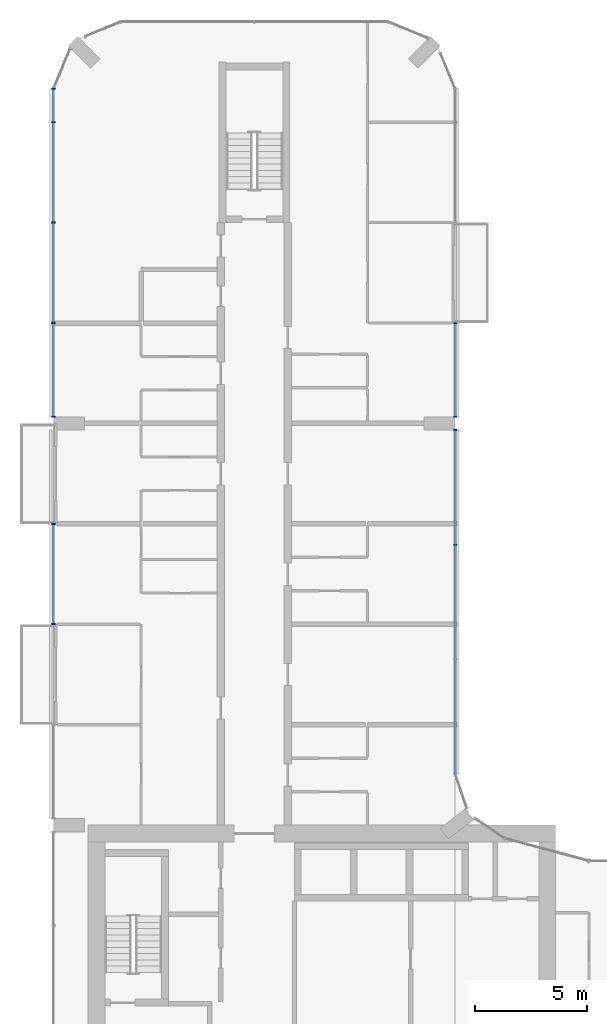
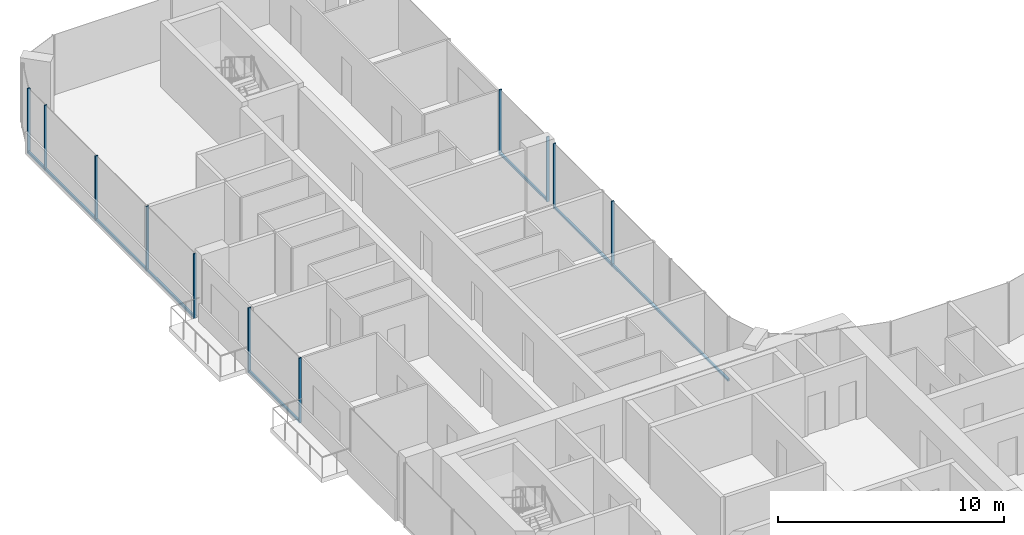
# One storey, part 6 of 24: 15 members, 4 elements without a shape of their own.
"""IFC4 building model written with IfcOpenShell, lengths in metres."""

from ifc_helpers import new_model, si_unit, direction, frame, origin, origin_2d, place, context, subcontext, project, spatial, rectangle, extrude, material, layer, layer_set, material_profile, profile_set, type_object, element, aggregate, save


model = new_model("IFC4")

# Units and contexts
model_context = context("Model", 3, precision=1e-05, world=origin(), true_north=direction((0.0, 1.0)))
body_context = subcontext(model_context, "Body", "Model", "MODEL_VIEW")
ifc_project = project(units=[si_unit("LENGTHUNIT", "METRE"), si_unit("AREAUNIT", "SQUARE_METRE"), si_unit("VOLUMEUNIT", "CUBIC_METRE"), si_unit("PLANEANGLEUNIT", "RADIAN"), si_unit("MASSUNIT", "GRAM", prefix="KILO")], contexts=[model_context])

# Site, building, storey
site_placement = place(None, origin())
site = spatial("IfcSite", under=ifc_project, at=site_placement, CompositionType="ELEMENT")
building_placement = place(site_placement, origin())
building = spatial("IfcBuilding", under=site, at=building_placement, Name="Plateau Cross Towers", CompositionType="ELEMENT")
storey_placement = place(building_placement, frame((0.0, 0.0, 51.300048828125)))
storey = spatial("IfcBuildingStorey", under=building, at=storey_placement, Name="L12", CompositionType="ELEMENT", Elevation=51.300048828125)

# Curtain wall, members
ifc_material_1 = material(Name="Dark low-iron glass", Category="glass")
ifc_layer = layer(ifc_material_1, 0.239990234375)
ifc_layer_set = layer_set([ifc_layer], Name="Dark low-iron glass")
curtain_wall_type = type_object("IfcCurtainWallType", Name="Curtain wall flush unitised CW-B", PredefinedType="NOTDEFINED", material=ifc_layer_set)
curtain_wall_1_placement = place(storey_placement, origin())
curtain_wall_1 = element("IfcCurtainWall", 1, at=curtain_wall_1_placement, inside=storey, type_object=curtain_wall_type, Name="ENV/A/L12/A180_203", PredefinedType="NOTDEFINED")
ifc_material_2 = material(Name="Black anodised aluminium", Category="aluminium")
ifc_material_profile_1 = material_profile(ifc_material_2, rectangle(XDim=0.06005859375, YDim=0.139892578125, at=origin_2d()), Name="MULLION 60x140")
ifc_profile_set_1 = profile_set([ifc_material_profile_1], Name="Black anodised aluminium")
member_type_1 = type_object("IfcMemberType", Name="Mullion 60x140 flush unitised", PredefinedType="MULLION", material=ifc_profile_set_1)
member_1_placement = place(storey_placement, frame((18.0, 30.5673828125, -0.25), z_axis=(0.0, 0.0, 1.0), x_axis=(0.0, 1.0, 0.0)))
member_1 = element("IfcMember", 2, at=member_1_placement, type_object=member_type_1, Name="CW-B mullion 3", PredefinedType="MULLION", context=body_context, shape_type="SweptSolid", body=[
    extrude(rectangle(XDim=0.06005859375, YDim=0.139892578125, at=origin_2d()), origin(), (0.0, 0.0, 1.0), 3.5),
])
member_2_placement = place(storey_placement, frame((18.0, 35.699951171875, -0.25), z_axis=(0.0, 0.0, 1.0), x_axis=(0.0, 1.0, 0.0)))
member_2 = element("IfcMember", 3, at=member_2_placement, type_object=member_type_1, Name="CW-B mullion 4", PredefinedType="MULLION", context=body_context, shape_type="SweptSolid", body=[
    extrude(rectangle(XDim=0.06005859375, YDim=0.139892578125, at=origin_2d()), origin(), (0.0, 0.0, 1.0), 3.5),
])

curtain_wall_2_placement = place(storey_placement, origin())
curtain_wall_2 = element("IfcCurtainWall", 4, at=curtain_wall_2_placement, inside=storey, type_object=curtain_wall_type, Name="ENV/A/L12/A180_363", PredefinedType="NOTDEFINED")
member_3_placement = place(storey_placement, frame((18.0, 36.300048828125, -0.25), z_axis=(0.0, 0.0, 1.0), x_axis=(0.0, 1.0, 0.0)))
member_3 = element("IfcMember", 5, at=member_3_placement, type_object=member_type_1, Name="CW-B mullion 1", PredefinedType="MULLION", context=body_context, shape_type="SweptSolid", body=[
    extrude(rectangle(XDim=0.06005859375, YDim=0.139892578125, at=origin_2d()), origin(), (0.0, 0.0, 1.0), 3.5),
])
member_4_placement = place(storey_placement, frame((18.0, 40.489990234375, -0.25), z_axis=(0.0, 0.0, 1.0), x_axis=(0.0, 1.0, 0.0)))
member_4 = element("IfcMember", 6, at=member_4_placement, type_object=member_type_1, Name="CW-B mullion 2", PredefinedType="MULLION", context=body_context, shape_type="SweptSolid", body=[
    extrude(rectangle(XDim=0.06005859375, YDim=0.139892578125, at=origin_2d()), origin(), (0.0, 0.0, 1.0), 3.5),
])

curtain_wall_3_placement = place(storey_placement, origin())
curtain_wall_3 = element("IfcCurtainWall", 7, at=curtain_wall_3_placement, inside=storey, type_object=curtain_wall_type, Name="ENV/A/L12/A0_510", PredefinedType="NOTDEFINED")
member_5_placement = place(storey_placement, frame((0.0, 51.0, -0.25), z_axis=(0.0, 0.0, 1.0), x_axis=(0.0, -1.0, 0.0)))
member_5 = element("IfcMember", 8, at=member_5_placement, type_object=member_type_1, Name="CW-B mullion 1", PredefinedType="MULLION", context=body_context, shape_type="SweptSolid", body=[
    extrude(rectangle(XDim=0.06005859375, YDim=0.139892578125, at=origin_2d()), origin(), (0.0, 0.0, 1.0), 3.5),
])
member_6_placement = place(storey_placement, frame((0.0, 49.5, -0.25), z_axis=(0.0, 0.0, 1.0), x_axis=(0.0, -1.0, 0.0)))
member_6 = element("IfcMember", 9, at=member_6_placement, type_object=member_type_1, Name="CW-B mullion 2", PredefinedType="MULLION", context=body_context, shape_type="SweptSolid", body=[
    extrude(rectangle(XDim=0.06005859375, YDim=0.139892578125, at=origin_2d()), origin(), (0.0, 0.0, 1.0), 3.5),
])
member_7_placement = place(storey_placement, frame((0.0, 45.0, -0.25), z_axis=(0.0, 0.0, 1.0), x_axis=(0.0, -1.0, 0.0)))
member_7 = element("IfcMember", 10, at=member_7_placement, type_object=member_type_1, Name="CW-B mullion 3", PredefinedType="MULLION", context=body_context, shape_type="SweptSolid", body=[
    extrude(rectangle(XDim=0.06005859375, YDim=0.139892578125, at=origin_2d()), origin(), (0.0, 0.0, 1.0), 3.5),
])
member_8_placement = place(storey_placement, frame((0.0, 40.5, -0.25), z_axis=(0.0, 0.0, 1.0), x_axis=(0.0, -1.0, 0.0)))
member_8 = element("IfcMember", 11, at=member_8_placement, type_object=member_type_1, Name="CW-B mullion 4", PredefinedType="MULLION", context=body_context, shape_type="SweptSolid", body=[
    extrude(rectangle(XDim=0.06005859375, YDim=0.139892578125, at=origin_2d()), origin(), (0.0, 0.0, 1.0), 3.5),
])
member_9_placement = place(storey_placement, frame((0.0, 36.300048828125, -0.25), z_axis=(0.0, 0.0, 1.0), x_axis=(0.0, -1.0, 0.0)))
member_9 = element("IfcMember", 12, at=member_9_placement, type_object=member_type_1, Name="CW-B mullion 5", PredefinedType="MULLION", context=body_context, shape_type="SweptSolid", body=[
    extrude(rectangle(XDim=0.06005859375, YDim=0.139892578125, at=origin_2d()), origin(), (0.0, 0.0, 1.0), 3.5),
])

curtain_wall_4_placement = place(storey_placement, origin())
curtain_wall_4 = element("IfcCurtainWall", 13, at=curtain_wall_4_placement, inside=storey, type_object=curtain_wall_type, Name="ENV/A/L12/A0_315", PredefinedType="NOTDEFINED")
member_10_placement = place(storey_placement, frame((0.0, 31.489990234375, -0.25), z_axis=(0.0, 0.0, 1.0), x_axis=(0.0, -1.0, 0.0)))
member_10 = element("IfcMember", 14, at=member_10_placement, type_object=member_type_1, Name="CW-B mullion 1", PredefinedType="MULLION", context=body_context, shape_type="SweptSolid", body=[
    extrude(rectangle(XDim=0.06005859375, YDim=0.139892578125, at=origin_2d()), origin(), (0.0, 0.0, 1.0), 3.5),
])
member_11_placement = place(storey_placement, frame((0.0, 27.010009765625, -0.25), z_axis=(0.0, 0.0, 1.0), x_axis=(0.0, -1.0, 0.0)))
member_11 = element("IfcMember", 15, at=member_11_placement, type_object=member_type_1, Name="CW-B mullion 2", PredefinedType="MULLION", context=body_context, shape_type="SweptSolid", body=[
    extrude(rectangle(XDim=0.06005859375, YDim=0.139892578125, at=origin_2d()), origin(), (0.0, 0.0, 1.0), 3.5),
])

# Member
ifc_material_profile_2 = material_profile(ifc_material_2, rectangle(XDim=0.10009765625, YDim=0.1201171875, at=origin_2d()), Name="TRANSOM 100x120")
ifc_profile_set_2 = profile_set([ifc_material_profile_2], Name="Black anodised aluminium")
member_type_2 = type_object("IfcMemberType", Name="Transom 100x120 flush unitised", PredefinedType="USERDEFINED", material=ifc_profile_set_2)
member_12_placement = place(storey_placement, frame((18.0, 20.30224609375, -0.18994140625), z_axis=(0.0, 1.0, 0.0), x_axis=(-1.0, 0.0, 0.0)))
member_12 = element("IfcMember", 16, at=member_12_placement, type_object=member_type_2, Name="CW-B transom", ObjectType="TRANSOM", PredefinedType="USERDEFINED", context=body_context, shape_type="SweptSolid", body=[
    extrude(rectangle(XDim=0.10009765625, YDim=0.1201171875, at=origin_2d()), origin(), (0.0, 0.0, 1.0), 15.397705078125),
])

aggregate(curtain_wall_1, [member_1, member_2, member_12])

member_13_placement = place(storey_placement, frame((18.0, 36.300048828125, -0.18994140625), z_axis=(0.0, 1.0, 0.0), x_axis=(-1.0, 0.0, 0.0)))
member_13 = element("IfcMember", 17, at=member_13_placement, type_object=member_type_2, Name="CW-B transom", ObjectType="TRANSOM", PredefinedType="USERDEFINED", context=body_context, shape_type="SweptSolid", body=[
    extrude(rectangle(XDim=0.10009765625, YDim=0.1201171875, at=origin_2d()), origin(), (0.0, 0.0, 1.0), 4.18994140625),
])

aggregate(curtain_wall_2, [member_3, member_4, member_13])

member_14_placement = place(storey_placement, frame((0.0, 51.0, -0.18994140625), z_axis=(0.0, -1.0, 0.0), x_axis=(1.0, 0.0, 0.0)))
member_14 = element("IfcMember", 18, at=member_14_placement, type_object=member_type_2, Name="CW-B transom", ObjectType="TRANSOM", PredefinedType="USERDEFINED", context=body_context, shape_type="SweptSolid", body=[
    extrude(rectangle(XDim=0.10009765625, YDim=0.1201171875, at=origin_2d()), origin(), (0.0, 0.0, 1.0), 14.699951171875),
])

aggregate(curtain_wall_3, [member_5, member_6, member_7, member_8, member_9, member_14])

member_15_placement = place(storey_placement, frame((0.0, 31.489990234375, -0.18994140625), z_axis=(0.0, -1.0, 0.0), x_axis=(1.0, 0.0, 0.0)))
member_15 = element("IfcMember", 19, at=member_15_placement, type_object=member_type_2, Name="CW-B transom", ObjectType="TRANSOM", PredefinedType="USERDEFINED", context=body_context, shape_type="SweptSolid", body=[
    extrude(rectangle(XDim=0.10009765625, YDim=0.1201171875, at=origin_2d()), origin(), (0.0, 0.0, 1.0), 4.47998046875),
])

aggregate(curtain_wall_4, [member_10, member_11, member_15])

save(model, "model.ifc")
